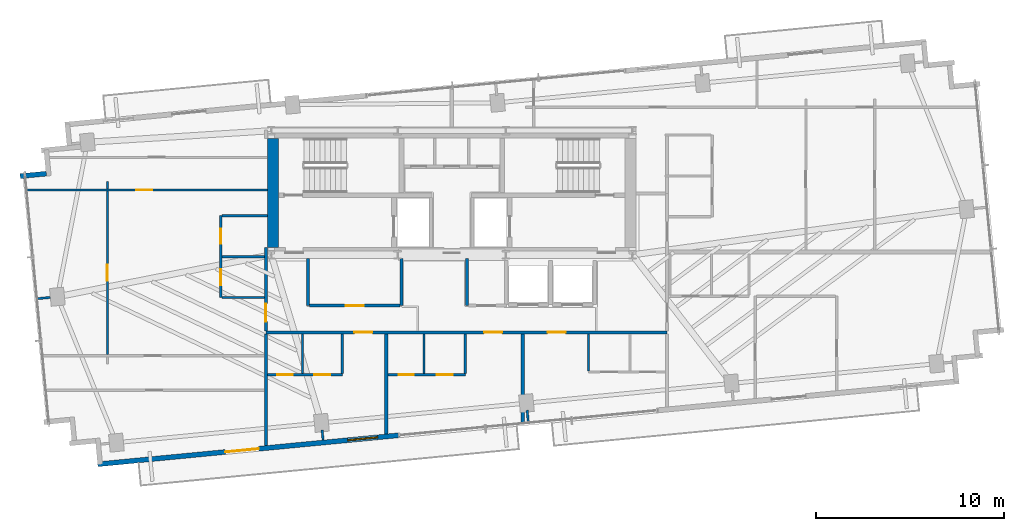
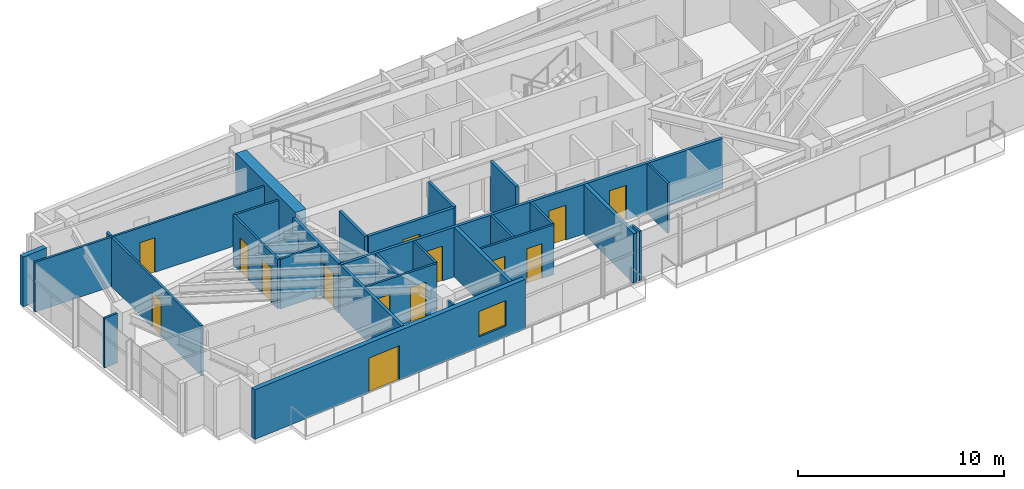
# One storey, part 13 of 18: 29 walls, 14 doors, 1 window, 15 openings.
"""IFC4 building model written with IfcOpenShell, lengths in metres."""

from ifc_helpers import new_model, si_unit, direction, frame, frame_2d, origin, place, context, subcontext, project, spatial, rectangle, extrude, source, transform, mapped, material, layer, layer_set, type_object, type_shapes, element, fill, save


model = new_model("IFC4")

# Units and contexts
model_context = context("Model", 3, precision=1e-05, world=origin(), true_north=direction((0.0, 1.0)))
body_context = subcontext(model_context, "Body", "Model", "MODEL_VIEW")
ifc_project = project(units=[si_unit("LENGTHUNIT", "METRE"), si_unit("AREAUNIT", "SQUARE_METRE"), si_unit("VOLUMEUNIT", "CUBIC_METRE"), si_unit("PLANEANGLEUNIT", "RADIAN"), si_unit("MASSUNIT", "GRAM", prefix="KILO")], contexts=[model_context])

# Site, building, storey
site_placement = place(None, origin())
site = spatial("IfcSite", under=ifc_project, at=site_placement, CompositionType="ELEMENT")
building_placement = place(site_placement, origin())
building = spatial("IfcBuilding", under=site, at=building_placement, Name="Astriad Promenade Condominiums", CompositionType="ELEMENT")
storey_placement = place(building_placement, frame((0.0, 0.0, 192.199951171875)))
storey = spatial("IfcBuildingStorey", under=building, at=storey_placement, Name="L55", CompositionType="ELEMENT", Elevation=192.199951171875)

# Wall
ifc_material_1 = material(Name="Concrete C50/60", Category="concrete")
ifc_layer_1 = layer(ifc_material_1, 0.60009765625)
ifc_layer_set_1 = layer_set([ifc_layer_1], Name="Concrete C50/60")
wall_type_1 = type_object("IfcWallType", Name="CW-SHEAR-600", PredefinedType="SHEAR", material=ifc_layer_set_1)
wall_1_placement = place(storey_placement, frame((26.5, 17.802001953125, 0.0), z_axis=(0.0, 0.0, 1.0), x_axis=(0.0, 1.0, 0.0)))
element("IfcWall", 1, at=wall_1_placement, inside=storey, type_object=wall_type_1, Name="CW-CORE-W-L55", PredefinedType="SHEAR", context=body_context, shape_type="SweptSolid", body=[
    extrude(rectangle(XDim=5.7958984375, YDim=0.60009765625, at=frame_2d((2.89794921875, 0.0))), origin(), (0.0, 0.0, 1.0), 3.199951171875),
])

# Wall, openings, doors
ifc_material_2 = material(Name="Fire-Rated Gypsum Partition")
ifc_layer_2 = layer(ifc_material_2, 0.159912109375)
ifc_layer_set_2 = layer_set([ifc_layer_2], Name="Fire-Rated Gypsum Partition")
wall_type_2 = type_object("IfcWallType", Name="WALL-CORR-160", PredefinedType="PARTITIONING", material=ifc_layer_set_2)
wall_2_placement = place(storey_placement, frame((26.1201171875, 13.280029296875, 0.0), z_axis=(0.0, 0.0, 1.0), x_axis=(1.0, 0.0, 0.0)))
wall_2 = element("IfcWall", 2, at=wall_2_placement, inside=storey, type_object=wall_type_2, Name="PT-COR-S-L55", PredefinedType="PARTITIONING", context=body_context, shape_type="SweptSolid", body=[
    extrude(rectangle(XDim=21.329833984375, YDim=0.159912109375, at=frame_2d((10.6650390625, 0.0))), origin(), (0.0, 0.0, 1.0), 2.93994140625),
])
opening_1_placement = place(wall_2_placement, frame((4.7041015625, 0.0, 0.0)))
opening_1 = element("IfcOpeningElement", 3, at=opening_1_placement, cuts=wall_2, Name="Opening FD60-APT-095", PredefinedType="OPENING", context=body_context, shape_type="SweptSolid", body=[
    extrude(rectangle(XDim=0.949951171875, YDim=2.06005859375, at=frame_2d((0.47509765625, 1.030029296875))), frame((0.0, 0.08984375, 0.0), z_axis=(0.0, -1.0, 0.0), x_axis=(1.0, 0.0, 0.0)), (0.0, 0.0, 1.0), 0.179931640625),
])
opening_2_placement = place(wall_2_placement, frame((11.60009765625, 0.0, 0.0)))
opening_2 = element("IfcOpeningElement", 4, at=opening_2_placement, cuts=wall_2, Name="Opening FD60-APT-095", PredefinedType="OPENING", context=body_context, shape_type="SweptSolid", body=[
    extrude(rectangle(XDim=0.949951171875, YDim=2.06005859375, at=frame_2d((0.47509765625, 1.030029296875))), frame((0.0, 0.08984375, 0.0), z_axis=(0.0, -1.0, 0.0), x_axis=(1.0, 0.0, 0.0)), (0.0, 0.0, 1.0), 0.179931640625),
])
opening_3_placement = place(wall_2_placement, frame((14.97607421875, 0.0, 0.0)))
opening_3 = element("IfcOpeningElement", 5, at=opening_3_placement, cuts=wall_2, Name="Opening FD60-APT-095", PredefinedType="OPENING", context=body_context, shape_type="SweptSolid", body=[
    extrude(rectangle(XDim=0.949951171875, YDim=2.06005859375, at=frame_2d((0.47509765625, 1.030029296875))), frame((0.0, 0.08984375, 0.0), z_axis=(0.0, -1.0, 0.0), x_axis=(1.0, 0.0, 0.0)), (0.0, 0.0, 1.0), 0.179931640625),
])
ifc_material_3 = material(Name="Solid-Core Acoustic Timber Residence Entry Door", Category="wood")
door_type_1 = type_object("IfcDoorType", Name="FD60-APT-095", OperationType="NOTDEFINED", PredefinedType="DOOR", material=ifc_material_3)
shared_shape_1 = source(origin(), body_context, "Body", "SweptSolid", [
    extrude(rectangle(XDim=0.949951171875, YDim=2.06005859375, at=frame_2d((0.47509765625, 1.030029296875))), frame((0.0, 0.02490234375, 0.0), z_axis=(0.0, -1.0, 0.0), x_axis=(1.0, 0.0, 0.0)), (0.0, 0.0, 1.0), 0.050048828125),
])
type_shapes(door_type_1, [shared_shape_1])
door_1_placement = place(opening_1_placement, origin())
door_1 = element("IfcDoor", 6, at=door_1_placement, inside=storey, type_object=door_type_1, Name="D-ENT-L55-S1", OperationType="SINGLE_SWING_LEFT", OverallHeight=2.06005859375, OverallWidth=0.949951171875, PredefinedType="DOOR", context=body_context, shape_type="MappedRepresentation", body=[
    mapped(shared_shape_1, transform((0.0, 0.0, 0.0), scale=1.0)),
])
fill(opening_1, door_1)
door_2_placement = place(opening_2_placement, origin())
door_2 = element("IfcDoor", 7, at=door_2_placement, inside=storey, type_object=door_type_1, Name="D-ENT-L55-S2", OperationType="SINGLE_SWING_RIGHT", OverallHeight=2.06005859375, OverallWidth=0.949951171875, PredefinedType="DOOR", context=body_context, shape_type="MappedRepresentation", body=[
    mapped(shared_shape_1, transform((0.0, 0.0, 0.0), scale=1.0)),
])
fill(opening_2, door_2)
door_3_placement = place(opening_3_placement, origin())
door_3 = element("IfcDoor", 8, at=door_3_placement, inside=storey, type_object=door_type_1, Name="D-ENT-L55-S3", OperationType="SINGLE_SWING_LEFT", OverallHeight=2.06005859375, OverallWidth=0.949951171875, PredefinedType="DOOR", context=body_context, shape_type="MappedRepresentation", body=[
    mapped(shared_shape_1, transform((0.0, 0.0, 0.0), scale=1.0)),
])
fill(opening_3, door_3)

# Wall
wall_3_placement = place(storey_placement, frame((26.1201171875, 7.26123046875, 0.0), z_axis=(0.0, 0.0, 1.0), x_axis=(0.0, 1.0, 0.0)))
element("IfcWall", 9, at=wall_3_placement, inside=storey, type_object=wall_type_2, Name="PT-COR-W-L55", PredefinedType="PARTITIONING", context=body_context, shape_type="SweptSolid", body=[
    extrude(rectangle(XDim=5.936767578125, YDim=0.159912109375, at=frame_2d((2.96826171875, 0.0))), origin(), (0.0, 0.0, 1.0), 2.93994140625),
])

# Wall, opening, door
wall_4_placement = place(storey_placement, frame((26.1201171875, 13.362060546875, 0.0), z_axis=(0.0, 0.0, 1.0), x_axis=(0.0, 1.0, 0.0)))
wall_4 = element("IfcWall", 10, at=wall_4_placement, inside=storey, type_object=wall_type_2, Name="PT-COR-W-L55-S2", PredefinedType="PARTITIONING", context=body_context, shape_type="SweptSolid", body=[
    extrude(rectangle(XDim=4.43994140625, YDim=0.159912109375, at=frame_2d((2.219970703125, 0.0))), origin(), (0.0, 0.0, 1.0), 2.93994140625),
])
opening_4_placement = place(wall_4_placement, frame((0.492919921875, 0.0, 0.0)))
opening_4 = element("IfcOpeningElement", 11, at=opening_4_placement, cuts=wall_4, Name="Opening FD60-APT-095", PredefinedType="OPENING", context=body_context, shape_type="SweptSolid", body=[
    extrude(rectangle(XDim=0.949951171875, YDim=2.06005859375, at=frame_2d((0.47509765625, 1.030029296875))), frame((0.0, 0.08984375, 0.0), z_axis=(0.0, -1.0, 0.0), x_axis=(1.0, 0.0, 0.0)), (0.0, 0.0, 1.0), 0.179931640625),
])
door_4_placement = place(opening_4_placement, origin())
door_4 = element("IfcDoor", 12, at=door_4_placement, inside=storey, type_object=door_type_1, Name="D-ENT-L55-W1", OperationType="SINGLE_SWING_RIGHT", OverallHeight=2.06005859375, OverallWidth=0.949951171875, PredefinedType="DOOR", context=body_context, shape_type="MappedRepresentation", body=[
    mapped(shared_shape_1, transform((0.0, 0.0, 0.0), scale=1.0)),
])
fill(opening_4, door_4)

# Walls
for number, where, z_axis, x_axis, name in (
    (13, (28.360107421875, 14.699951171875, 0.0), (0.0, 0.0, 1.0), (0.0, 1.0, 0.0), "PT-Z3REC-W-L55"),
    (14, (33.320068359375, 14.699951171875, 0.0), (0.0, 0.0, 1.0), (0.0, 1.0, 0.0), "PT-Z3REC-E-L55"),
):
    element("IfcWall", number, at=place(storey_placement, frame(where, z_axis=z_axis, x_axis=x_axis)), inside=storey, type_object=wall_type_2, Name=name, PredefinedType="PARTITIONING", context=body_context, shape_type="SweptSolid", body=[
        extrude(rectangle(XDim=2.498046875, YDim=0.159912109375, at=frame_2d((1.2490234375, 0.0))), origin(), (0.0, 0.0, 1.0), 2.93994140625),
    ])

# Wall, opening, door
wall_5_placement = place(storey_placement, frame((28.44189453125, 14.699951171875, 0.0), z_axis=(0.0, 0.0, 1.0), x_axis=(1.0, 0.0, 0.0)))
wall_5 = element("IfcWall", 15, at=wall_5_placement, inside=storey, type_object=wall_type_2, Name="PT-Z3REC-S-L55", PredefinedType="PARTITIONING", context=body_context, shape_type="SweptSolid", body=[
    extrude(rectangle(XDim=4.796142578125, YDim=0.159912109375, at=frame_2d((2.39794921875, 0.0))), origin(), (0.0, 0.0, 1.0), 2.93994140625),
])
opening_5_placement = place(wall_5_placement, frame((1.923095703125, 0.0, 0.0)))
opening_5 = element("IfcOpeningElement", 16, at=opening_5_placement, cuts=wall_5, Name="Opening FD60-APT-095", PredefinedType="OPENING", context=body_context, shape_type="SweptSolid", body=[
    extrude(rectangle(XDim=0.949951171875, YDim=2.06005859375, at=frame_2d((0.47509765625, 1.030029296875))), frame((0.0, 0.08984375, 0.0), z_axis=(0.0, -1.0, 0.0), x_axis=(1.0, 0.0, 0.0)), (0.0, 0.0, 1.0), 0.179931640625),
])
door_5_placement = place(opening_5_placement, origin())
door_5 = element("IfcDoor", 17, at=door_5_placement, inside=storey, type_object=door_type_1, Name="D-Z3R-L55", OperationType="SINGLE_SWING_LEFT", OverallHeight=2.06005859375, OverallWidth=0.949951171875, PredefinedType="DOOR", context=body_context, shape_type="MappedRepresentation", body=[
    mapped(shared_shape_1, transform((0.0, 0.0, 0.0), scale=1.0)),
])
fill(opening_5, door_5)

# Walls
wall_6_placement = place(storey_placement, frame((36.800048828125, 14.699951171875, 0.0), z_axis=(0.0, 0.0, 1.0), x_axis=(0.0, 1.0, 0.0)))
element("IfcWall", 18, at=wall_6_placement, inside=storey, type_object=wall_type_2, Name="PT-Z3R2-W-L55", PredefinedType="PARTITIONING", context=body_context, shape_type="SweptSolid", body=[
    extrude(rectangle(XDim=2.498046875, YDim=0.159912109375, at=frame_2d((1.2490234375, 0.0))), origin(), (0.0, 0.0, 1.0), 2.93994140625),
])
ifc_material_4 = material(Name="Acoustic Double-Stud Gypsum Partition")
ifc_layer_3 = layer(ifc_material_4, 0.199951171875)
ifc_layer_set_3 = layer_set([ifc_layer_3], Name="Acoustic Double-Stud Gypsum Partition")
wall_type_3 = type_object("IfcWallType", Name="WALL-DEMISING-200", PredefinedType="PARTITIONING", material=ifc_layer_set_3)
wall_7_placement = place(storey_placement, frame((32.51904296875, 7.877197265625, 0.0), z_axis=(0.0, 0.0, 1.0), x_axis=(0.0, 1.0, 0.0)))
element("IfcWall", 19, at=wall_7_placement, inside=storey, type_object=wall_type_3, Name="PT-DEM-S1-L55", PredefinedType="PARTITIONING", context=body_context, shape_type="SweptSolid", body=[
    extrude(rectangle(XDim=5.32080078125, YDim=0.199951171875, at=frame_2d((2.660400390625, 0.0))), origin(), (0.0, 0.0, 1.0), 2.93994140625),
])
wall_8_placement = place(storey_placement, frame((39.77099609375, 8.392822265625, 0.0), z_axis=(0.0, 0.0, 1.0), x_axis=(0.0, 1.0, 0.0)))
element("IfcWall", 20, at=wall_8_placement, inside=storey, type_object=wall_type_3, Name="PT-DEM-S2-L55", PredefinedType="PARTITIONING", context=body_context, shape_type="SweptSolid", body=[
    extrude(rectangle(XDim=4.80517578125, YDim=0.199951171875, at=frame_2d((2.402587890625, 0.0))), origin(), (0.0, 0.0, 1.0), 2.93994140625),
])
ifc_material_5 = material(Name="Precast concrete C50/60", Category="concrete")
ifc_layer_4 = layer(ifc_material_5, 0.260009765625)
ifc_layer_set_4 = layer_set([ifc_layer_4], Name="Precast concrete C50/60")
wall_type_4 = type_object("IfcWallType", Name="WALL-EXT-TWR-260", PredefinedType="STANDARD", material=ifc_layer_set_4)
wall_9_placement = place(storey_placement, frame((13.058349609375, 21.583251953125, 0.0), z_axis=(0.0, 0.0, 1.0), x_axis=(0.99540774648, 0.095725744959, 0.0)))
element("IfcWall", 21, at=wall_9_placement, inside=storey, type_object=wall_type_4, Name="W-SER-L55-04", PredefinedType="STANDARD", context=body_context, shape_type="SweptSolid", body=[
    extrude(rectangle(XDim=1.39501953125, YDim=0.260009765625, at=frame_2d((0.697509765625, 0.0))), origin(), (0.0, 0.0, 1.0), 2.93994140625),
])

# Wall, openings, door, window
wall_10_placement = place(storey_placement, frame((33.201171875, 7.810302734375, 0.0), z_axis=(0.0, 0.0, 1.0), x_axis=(-0.995397074604, -0.095836652014, 0.0)))
wall_10 = element("IfcWall", 22, at=wall_10_placement, inside=storey, type_object=wall_type_4, Name="W-EXT-L55-S2", PredefinedType="STANDARD", context=body_context, shape_type="SweptSolid", body=[
    extrude(rectangle(XDim=16.10009765625, YDim=0.260009765625, at=frame_2d((8.050048828125, 0.0))), origin(), (0.0, 0.0, 1.0), 2.93994140625),
])
opening_6_placement = place(wall_10_placement, frame((7.489990234375, 0.0, 0.0)))
opening_6 = element("IfcOpeningElement", 23, at=opening_6_placement, cuts=wall_10, Name="Opening BD-1822-SLD", PredefinedType="OPENING", context=body_context, shape_type="SweptSolid", body=[
    extrude(rectangle(XDim=1.800048828125, YDim=2.06005859375, at=frame_2d((0.89990234375, 1.030029296875))), frame((0.0, 0.139892578125, 0.0), z_axis=(0.0, -1.0, 0.0), x_axis=(1.0, 0.0, 0.0)), (0.0, 0.0, 1.0), 0.280029296875),
])
opening_7_placement = place(wall_10_placement, frame((1.14990234375, 0.0, 0.64990234375)))
opening_7 = element("IfcOpeningElement", 24, at=opening_7_placement, cuts=wall_10, Name="Opening WIN-TWR-1620", PredefinedType="OPENING", context=body_context, shape_type="SweptSolid", body=[
    extrude(rectangle(XDim=1.60009765625, YDim=1.5, at=frame_2d((0.800048828125, 0.75))), frame((0.0, 0.139892578125, 0.0), z_axis=(0.0, -1.0, 0.0), x_axis=(1.0, 0.0, 0.0)), (0.0, 0.0, 1.0), 0.280029296875),
])
ifc_material_6 = material(Name="Thermally Broken Aluminium Sliding Balcony Door", Category="aluminium")
door_type_2 = type_object("IfcDoorType", Name="BD-1822-SLD", OperationType="NOTDEFINED", PredefinedType="DOOR", material=ifc_material_6)
shared_shape_2 = source(origin(), body_context, "Body", "SweptSolid", [
    extrude(rectangle(XDim=1.800048828125, YDim=2.06005859375, at=frame_2d((0.89990234375, 1.030029296875))), frame((0.0, 0.02490234375, 0.0), z_axis=(0.0, -1.0, 0.0), x_axis=(1.0, 0.0, 0.0)), (0.0, 0.0, 1.0), 0.050048828125),
])
type_shapes(door_type_2, [shared_shape_2])
door_6_placement = place(opening_6_placement, origin())
door_6 = element("IfcDoor", 25, at=door_6_placement, inside=storey, type_object=door_type_2, Name="BD-L55-SW", OperationType="SLIDING_TO_LEFT", OverallHeight=2.06005859375, OverallWidth=1.800048828125, PredefinedType="DOOR", context=body_context, shape_type="MappedRepresentation", body=[
    mapped(shared_shape_2, transform((0.0, 0.0, 0.0), scale=1.0)),
])
fill(opening_6, door_6)
ifc_material_7 = material(Name="Dark Tinted Triple-Glazed Aluminium Window", Category="aluminium")
window_type = type_object("IfcWindowType", Name="WIN-TWR-1620", PartitioningType="SINGLE_PANEL", PredefinedType="WINDOW", material=ifc_material_7)
shared_shape_3 = source(origin(), body_context, "Body", "SweptSolid", [
    extrude(rectangle(XDim=1.60009765625, YDim=1.5, at=frame_2d((0.800048828125, 0.75))), frame((0.0, 0.030029296875, 0.0), z_axis=(0.0, -1.0, 0.0), x_axis=(1.0, 0.0, 0.0)), (0.0, 0.0, 1.0), 0.06005859375),
])
type_shapes(window_type, [shared_shape_3])
window_placement = place(opening_7_placement, origin())
window = element("IfcWindow", 26, at=window_placement, inside=storey, type_object=window_type, Name="WIN-L55-SW", OverallHeight=1.5, OverallWidth=1.60009765625, PartitioningType="SINGLE_PANEL", PredefinedType="WINDOW", context=body_context, shape_type="MappedRepresentation", body=[
    mapped(shared_shape_3, transform((0.0, 0.0, 0.0), scale=1.0)),
])
fill(opening_7, window)

# Wall, openings, doors
ifc_material_8 = material(Name="Acoustic Metal-Stud Gypsum Partition")
ifc_layer_5 = layer(ifc_material_8, 0.1201171875)
ifc_layer_set_5 = layer_set([ifc_layer_5], Name="Acoustic Metal-Stud Gypsum Partition")
wall_type_5 = type_object("IfcWallType", Name="WALL-PART-120", PredefinedType="PARTITIONING", material=ifc_layer_set_5)
wall_11_placement = place(storey_placement, frame((26.201904296875, 11.030029296875, 0.0), z_axis=(0.0, 0.0, 1.0), x_axis=(1.0, 0.0, 0.0)))
wall_11 = element("IfcWall", 27, at=wall_11_placement, inside=storey, type_object=wall_type_5, Name="PT-L55-S1-PS", PredefinedType="PARTITIONING", context=body_context, shape_type="SweptSolid", body=[
    extrude(rectangle(XDim=3.97802734375, YDim=0.1201171875, at=frame_2d((1.989013671875, 0.0))), origin(), (0.0, 0.0, 1.0), 2.93994140625),
])
opening_8_placement = place(wall_11_placement, frame((0.531005859375, 0.0, 0.0)))
opening_8 = element("IfcOpeningElement", 28, at=opening_8_placement, cuts=wall_11, Name="Opening D-WET-080", PredefinedType="OPENING", context=body_context, shape_type="SweptSolid", body=[
    extrude(rectangle(XDim=0.800048828125, YDim=2.02001953125, at=frame_2d((0.39990234375, 1.010009765625))), frame((0.0, 0.070068359375, 0.0), z_axis=(0.0, -1.0, 0.0), x_axis=(1.0, 0.0, 0.0)), (0.0, 0.0, 1.0), 0.14013671875),
])
opening_9_placement = place(wall_11_placement, frame((2.49609375, 0.0, 0.0)))
opening_9 = element("IfcOpeningElement", 29, at=opening_9_placement, cuts=wall_11, Name="Opening D-INT-085", PredefinedType="OPENING", context=body_context, shape_type="SweptSolid", body=[
    extrude(rectangle(XDim=0.85009765625, YDim=2.050048828125, at=frame_2d((0.425048828125, 1.02490234375))), frame((0.0, 0.070068359375, 0.0), z_axis=(0.0, -1.0, 0.0), x_axis=(1.0, 0.0, 0.0)), (0.0, 0.0, 1.0), 0.14013671875),
])
ifc_material_9 = material(Name="Moisture-Resistant Timber Bathroom Door", Category="wood")
door_type_3 = type_object("IfcDoorType", Name="D-WET-080", OperationType="NOTDEFINED", PredefinedType="DOOR", material=ifc_material_9)
shared_shape_4 = source(origin(), body_context, "Body", "SweptSolid", [
    extrude(rectangle(XDim=0.800048828125, YDim=2.02001953125, at=frame_2d((0.39990234375, 1.010009765625))), frame((0.0, 0.02490234375, 0.0), z_axis=(0.0, -1.0, 0.0), x_axis=(1.0, 0.0, 0.0)), (0.0, 0.0, 1.0), 0.050048828125),
])
type_shapes(door_type_3, [shared_shape_4])
door_7_placement = place(opening_8_placement, origin())
door_7 = element("IfcDoor", 30, at=door_7_placement, inside=storey, type_object=door_type_3, Name="D-BTH-L55-S1", OperationType="SINGLE_SWING_RIGHT", OverallHeight=2.02001953125, OverallWidth=0.800048828125, PredefinedType="DOOR", context=body_context, shape_type="MappedRepresentation", body=[
    mapped(shared_shape_4, transform((0.0, 0.0, 0.0), scale=1.0)),
])
fill(opening_8, door_7)
ifc_material_10 = material(Name="Painted Solid-Core Timber Room Door", Category="wood")
door_type_4 = type_object("IfcDoorType", Name="D-INT-085", OperationType="NOTDEFINED", PredefinedType="DOOR", material=ifc_material_10)
shared_shape_5 = source(origin(), body_context, "Body", "SweptSolid", [
    extrude(rectangle(XDim=0.85009765625, YDim=2.050048828125, at=frame_2d((0.425048828125, 1.02490234375))), frame((0.0, 0.02490234375, 0.0), z_axis=(0.0, -1.0, 0.0), x_axis=(1.0, 0.0, 0.0)), (0.0, 0.0, 1.0), 0.050048828125),
])
type_shapes(door_type_4, [shared_shape_5])
door_8_placement = place(opening_9_placement, origin())
door_8 = element("IfcDoor", 31, at=door_8_placement, inside=storey, type_object=door_type_4, Name="D-KIT-L55-S1", OperationType="SINGLE_SWING_LEFT", OverallHeight=2.050048828125, OverallWidth=0.85009765625, PredefinedType="DOOR", context=body_context, shape_type="MappedRepresentation", body=[
    mapped(shared_shape_5, transform((0.0, 0.0, 0.0), scale=1.0)),
])
fill(opening_9, door_8)

# Walls
for number, where, z_axis, x_axis, name in (
    (32, (30.179931640625, 11.092041015625, 0.0), (0.0, 0.0, 1.0), (0.0, 1.0, 0.0), "PT-L55-S1-PK"),
    (33, (28.06591796875, 11.092041015625, 0.0), (0.0, 0.0, 1.0), (0.0, 1.0, 0.0), "PT-L55-S1-PB"),
):
    element("IfcWall", number, at=place(storey_placement, frame(where, z_axis=z_axis, x_axis=x_axis)), inside=storey, type_object=wall_type_5, Name=name, PredefinedType="PARTITIONING", context=body_context, shape_type="SweptSolid", body=[
        extrude(rectangle(XDim=2.10595703125, YDim=0.1201171875, at=frame_2d((1.052978515625, 0.0))), origin(), (0.0, 0.0, 1.0), 2.93994140625),
    ])

# Wall, openings, doors
wall_12_placement = place(storey_placement, frame((32.62109375, 11.030029296875, 0.0), z_axis=(0.0, 0.0, 1.0), x_axis=(1.0, 0.0, 0.0)))
wall_12 = element("IfcWall", 34, at=wall_12_placement, inside=storey, type_object=wall_type_5, Name="PT-L55-S2-PS", PredefinedType="PARTITIONING", context=body_context, shape_type="SweptSolid", body=[
    extrude(rectangle(XDim=4.097900390625, YDim=0.1201171875, at=frame_2d((2.048828125, 0.0))), origin(), (0.0, 0.0, 1.0), 2.93994140625),
])
opening_10_placement = place(wall_12_placement, frame((0.548095703125, 0.0, 0.0)))
opening_10 = element("IfcOpeningElement", 35, at=opening_10_placement, cuts=wall_12, Name="Opening D-WET-080", PredefinedType="OPENING", context=body_context, shape_type="SweptSolid", body=[
    extrude(rectangle(XDim=0.800048828125, YDim=2.02001953125, at=frame_2d((0.39990234375, 1.010009765625))), frame((0.0, 0.070068359375, 0.0), z_axis=(0.0, -1.0, 0.0), x_axis=(1.0, 0.0, 0.0)), (0.0, 0.0, 1.0), 0.14013671875),
])
opening_11_placement = place(wall_12_placement, frame((2.572998046875, 0.0, 0.0)))
opening_11 = element("IfcOpeningElement", 36, at=opening_11_placement, cuts=wall_12, Name="Opening D-INT-085", PredefinedType="OPENING", context=body_context, shape_type="SweptSolid", body=[
    extrude(rectangle(XDim=0.85009765625, YDim=2.050048828125, at=frame_2d((0.425048828125, 1.02490234375))), frame((0.0, 0.070068359375, 0.0), z_axis=(0.0, -1.0, 0.0), x_axis=(1.0, 0.0, 0.0)), (0.0, 0.0, 1.0), 0.14013671875),
])
door_9_placement = place(opening_10_placement, origin())
door_9 = element("IfcDoor", 37, at=door_9_placement, inside=storey, type_object=door_type_3, Name="D-BTH-L55-S2", OperationType="SINGLE_SWING_LEFT", OverallHeight=2.02001953125, OverallWidth=0.800048828125, PredefinedType="DOOR", context=body_context, shape_type="MappedRepresentation", body=[
    mapped(shared_shape_4, transform((0.0, 0.0, 0.0), scale=1.0)),
])
fill(opening_10, door_9)
door_10_placement = place(opening_11_placement, origin())
door_10 = element("IfcDoor", 38, at=door_10_placement, inside=storey, type_object=door_type_4, Name="D-KIT-L55-S2", OperationType="SINGLE_SWING_RIGHT", OverallHeight=2.050048828125, OverallWidth=0.85009765625, PredefinedType="DOOR", context=body_context, shape_type="MappedRepresentation", body=[
    mapped(shared_shape_5, transform((0.0, 0.0, 0.0), scale=1.0)),
])
fill(opening_11, door_10)

# Walls
for number, where, z_axis, x_axis, name in (
    (39, (36.718994140625, 11.092041015625, 0.0), (0.0, 0.0, 1.0), (0.0, 1.0, 0.0), "PT-L55-S2-PK"),
    (40, (34.51904296875, 11.092041015625, 0.0), (0.0, 0.0, 1.0), (0.0, 1.0, 0.0), "PT-L55-S2-PB"),
):
    element("IfcWall", number, at=place(storey_placement, frame(where, z_axis=z_axis, x_axis=x_axis)), inside=storey, type_object=wall_type_5, Name=name, PredefinedType="PARTITIONING", context=body_context, shape_type="SweptSolid", body=[
        extrude(rectangle(XDim=2.10595703125, YDim=0.1201171875, at=frame_2d((1.052978515625, 0.0))), origin(), (0.0, 0.0, 1.0), 2.93994140625),
    ])
wall_13_placement = place(storey_placement, frame((43.27001953125, 11.23388671875, 0.0), z_axis=(0.0, 0.0, 1.0), x_axis=(0.0, 1.0, 0.0)))
element("IfcWall", 41, at=wall_13_placement, inside=storey, type_object=wall_type_5, Name="PT-L55-S3-PK", PredefinedType="PARTITIONING", context=body_context, shape_type="SweptSolid", body=[
    extrude(rectangle(XDim=1.964111328125, YDim=0.1201171875, at=frame_2d((0.98193359375, 0.0))), origin(), (0.0, 0.0, 1.0), 2.93994140625),
])

# Wall, openings, doors
wall_14_placement = place(storey_placement, frame((23.719970703125, 15.1298828125, 0.0), z_axis=(0.0, 0.0, 1.0), x_axis=(0.0, 1.0, 0.0)))
wall_14 = element("IfcWall", 42, at=wall_14_placement, inside=storey, type_object=wall_type_5, Name="PT-L55-W1-PV", PredefinedType="PARTITIONING", context=body_context, shape_type="SweptSolid", body=[
    extrude(rectangle(XDim=4.35009765625, YDim=0.1201171875, at=frame_2d((2.175048828125, 0.0))), origin(), (0.0, 0.0, 1.0), 2.93994140625),
])
opening_12_placement = place(wall_14_placement, frame((0.6630859375, 0.0, 0.0)))
opening_12 = element("IfcOpeningElement", 43, at=opening_12_placement, cuts=wall_14, Name="Opening D-INT-085", PredefinedType="OPENING", context=body_context, shape_type="SweptSolid", body=[
    extrude(rectangle(XDim=0.85009765625, YDim=2.050048828125, at=frame_2d((0.425048828125, 1.02490234375))), frame((0.0, 0.070068359375, 0.0), z_axis=(0.0, -1.0, 0.0), x_axis=(1.0, 0.0, 0.0)), (0.0, 0.0, 1.0), 0.14013671875),
])
opening_13_placement = place(wall_14_placement, frame((2.862060546875, 0.0, 0.0)))
opening_13 = element("IfcOpeningElement", 44, at=opening_13_placement, cuts=wall_14, Name="Opening D-WET-080", PredefinedType="OPENING", context=body_context, shape_type="SweptSolid", body=[
    extrude(rectangle(XDim=0.800048828125, YDim=2.02001953125, at=frame_2d((0.39990234375, 1.010009765625))), frame((0.0, 0.070068359375, 0.0), z_axis=(0.0, -1.0, 0.0), x_axis=(1.0, 0.0, 0.0)), (0.0, 0.0, 1.0), 0.14013671875),
])
door_11_placement = place(opening_13_placement, origin())
door_11 = element("IfcDoor", 45, at=door_11_placement, inside=storey, type_object=door_type_3, Name="D-BTH-L55-W1", OperationType="SINGLE_SWING_RIGHT", OverallHeight=2.02001953125, OverallWidth=0.800048828125, PredefinedType="DOOR", context=body_context, shape_type="MappedRepresentation", body=[
    mapped(shared_shape_4, transform((0.0, 0.0, 0.0), scale=1.0)),
])
fill(opening_13, door_11)
door_12_placement = place(opening_12_placement, origin())
door_12 = element("IfcDoor", 46, at=door_12_placement, inside=storey, type_object=door_type_4, Name="D-KIT-L55-W1", OperationType="SINGLE_SWING_LEFT", OverallHeight=2.050048828125, OverallWidth=0.85009765625, PredefinedType="DOOR", context=body_context, shape_type="MappedRepresentation", body=[
    mapped(shared_shape_5, transform((0.0, 0.0, 0.0), scale=1.0)),
])
fill(opening_12, door_12)

# Walls
wall_15_placement = place(storey_placement, frame((23.781982421875, 17.304931640625, 0.0), z_axis=(0.0, 0.0, 1.0), x_axis=(1.0, 0.0, 0.0)))
element("IfcWall", 47, at=wall_15_placement, inside=storey, type_object=wall_type_5, Name="PT-L55-W1-PM", PredefinedType="PARTITIONING", context=body_context, shape_type="SweptSolid", body=[
    extrude(rectangle(XDim=2.256103515625, YDim=0.1201171875, at=frame_2d((1.1279296875, 0.0))), origin(), (0.0, 0.0, 1.0), 2.281494140625),
])
wall_16_placement = place(storey_placement, frame((23.781982421875, 15.1298828125, 0.0), z_axis=(0.0, 0.0, 1.0), x_axis=(1.0, 0.0, 0.0)))
element("IfcWall", 48, at=wall_16_placement, inside=storey, type_object=wall_type_5, Name="PT-L55-W1-PS", PredefinedType="PARTITIONING", context=body_context, shape_type="SweptSolid", body=[
    extrude(rectangle(XDim=2.256103515625, YDim=0.1201171875, at=frame_2d((1.1279296875, 0.0))), origin(), (0.0, 0.0, 1.0), 2.93994140625),
])
wall_17_placement = place(storey_placement, frame((23.781982421875, 19.47998046875, 0.0), z_axis=(0.0, 0.0, 1.0), x_axis=(1.0, 0.0, 0.0)))
element("IfcWall", 49, at=wall_17_placement, inside=storey, type_object=wall_type_5, Name="PT-L55-W1-PN", PredefinedType="PARTITIONING", context=body_context, shape_type="SweptSolid", body=[
    extrude(rectangle(XDim=2.416015625, YDim=0.1201171875, at=frame_2d((1.2080078125, 0.0))), origin(), (0.0, 0.0, 1.0), 2.93994140625),
])

# Wall, opening, door
wall_18_placement = place(storey_placement, frame((13.340087890625, 20.846923828125, 0.0), z_axis=(0.0, 0.0, 1.0), x_axis=(1.0, 0.0, 0.0)))
wall_18 = element("IfcWall", 50, at=wall_18_placement, inside=storey, type_object=wall_type_5, Name="PT-L55-W1-WDN4", PredefinedType="PARTITIONING", context=body_context, shape_type="SweptSolid", body=[
    extrude(rectangle(XDim=12.85791015625, YDim=0.1201171875, at=frame_2d((6.428955078125, 0.0))), origin(), (0.0, 0.0, 1.0), 2.93994140625),
])
opening_14_placement = place(wall_18_placement, frame((5.875, 0.0, 0.0)))
opening_14 = element("IfcOpeningElement", 51, at=opening_14_placement, cuts=wall_18, Name="Opening D-INT-085", PredefinedType="OPENING", context=body_context, shape_type="SweptSolid", body=[
    extrude(rectangle(XDim=0.85009765625, YDim=2.050048828125, at=frame_2d((0.425048828125, 1.02490234375))), frame((0.0, 0.070068359375, 0.0), z_axis=(0.0, -1.0, 0.0), x_axis=(1.0, 0.0, 0.0)), (0.0, 0.0, 1.0), 0.14013671875),
])
door_13_placement = place(opening_14_placement, origin())
door_13 = element("IfcDoor", 52, at=door_13_placement, inside=storey, type_object=door_type_4, Name="D-WDN4-L55-W1", OperationType="SINGLE_SWING_RIGHT", OverallHeight=2.050048828125, OverallWidth=0.85009765625, PredefinedType="DOOR", context=body_context, shape_type="MappedRepresentation", body=[
    mapped(shared_shape_5, transform((0.0, 0.0, 0.0), scale=1.0)),
])
fill(opening_14, door_13)

wall_19_placement = place(storey_placement, frame((17.69091796875, 12.095947265625, 0.0), z_axis=(0.0, 0.0, 1.0), x_axis=(0.0, 1.0, 0.0)))
wall_19 = element("IfcWall", 53, at=wall_19_placement, inside=storey, type_object=wall_type_5, Name="PT-L55-W1-WDV5-S2", PredefinedType="PARTITIONING", context=body_context, shape_type="SweptSolid", body=[
    extrude(rectangle(XDim=8.68896484375, YDim=0.1201171875, at=frame_2d((4.344482421875, 0.0))), origin(), (0.0, 0.0, 1.0), 2.93994140625),
])
opening_15_placement = place(wall_19_placement, frame((3.919921875, 0.0, 0.0)))
opening_15 = element("IfcOpeningElement", 54, at=opening_15_placement, cuts=wall_19, Name="Opening D-INT-085", PredefinedType="OPENING", context=body_context, shape_type="SweptSolid", body=[
    extrude(rectangle(XDim=0.85009765625, YDim=2.050048828125, at=frame_2d((0.425048828125, 1.02490234375))), frame((0.0, 0.070068359375, 0.0), z_axis=(0.0, -1.0, 0.0), x_axis=(1.0, 0.0, 0.0)), (0.0, 0.0, 1.0), 0.14013671875),
])
door_14_placement = place(opening_15_placement, origin())
door_14 = element("IfcDoor", 55, at=door_14_placement, inside=storey, type_object=door_type_4, Name="D-WDV5-L55-W1", OperationType="SINGLE_SWING_LEFT", OverallHeight=2.050048828125, OverallWidth=0.85009765625, PredefinedType="DOOR", context=body_context, shape_type="MappedRepresentation", body=[
    mapped(shared_shape_5, transform((0.0, 0.0, 0.0), scale=1.0)),
])
fill(opening_15, door_14)

# Walls
wall_20_placement = place(storey_placement, frame((17.69091796875, 20.908935546875, 0.0), z_axis=(0.0, 0.0, 1.0), x_axis=(0.0, 1.0, 0.0)))
element("IfcWall", 56, at=wall_20_placement, inside=storey, type_object=wall_type_5, Name="PT-L55-W1-WDV5-S3", PredefinedType="PARTITIONING", context=body_context, shape_type="SweptSolid", body=[
    extrude(rectangle(XDim=0.378173828125, YDim=0.1201171875, at=frame_2d((0.18896484375, 0.0))), origin(), (0.0, 0.0, 1.0), 2.93994140625),
])
wall_21_placement = place(storey_placement, frame((29.10546875, 8.089111328125, 0.0), z_axis=(0.0, 0.0, 1.0), x_axis=(0.095772948675, -0.995403205893, 0.0)))
element("IfcWall", 57, at=wall_21_placement, inside=storey, type_object=wall_type_5, Name="PT-PIL-L55-PC02-9", PredefinedType="PARTITIONING", context=body_context, shape_type="SweptSolid", body=[
    extrude(rectangle(XDim=0.537841796875, YDim=0.1201171875, at=frame_2d((0.26904296875, 0.0))), origin(), (0.0, 0.0, 1.0), 2.93994140625),
])
wall_22_placement = place(storey_placement, frame((40.005126953125, 9.138671875, 0.0), z_axis=(0.0, 0.0, 1.0), x_axis=(0.095977354523, -0.995383517755, 0.0)))
element("IfcWall", 58, at=wall_22_placement, inside=storey, type_object=wall_type_5, Name="PT-PIL-L55-PC03-10", PredefinedType="PARTITIONING", context=body_context, shape_type="SweptSolid", body=[
    extrude(rectangle(XDim=0.719970703125, YDim=0.1201171875, at=frame_2d((0.35986328125, 0.0))), origin(), (0.0, 0.0, 1.0), 2.93994140625),
])
wall_23_placement = place(storey_placement, frame((14.653564453125, 15.136474609375, 0.0), z_axis=(0.0, 0.0, 1.0), x_axis=(-0.995408440582, -0.095718527039, 0.0)))
element("IfcWall", 59, at=wall_23_placement, inside=storey, type_object=wall_type_5, Name="PT-PIL-L55-PC11-18", PredefinedType="PARTITIONING", context=body_context, shape_type="SweptSolid", body=[
    extrude(rectangle(XDim=0.760009765625, YDim=0.1201171875, at=frame_2d((0.3798828125, 0.0))), origin(), (0.0, 0.0, 1.0), 2.93994140625),
])

save(model, "model.ifc")
